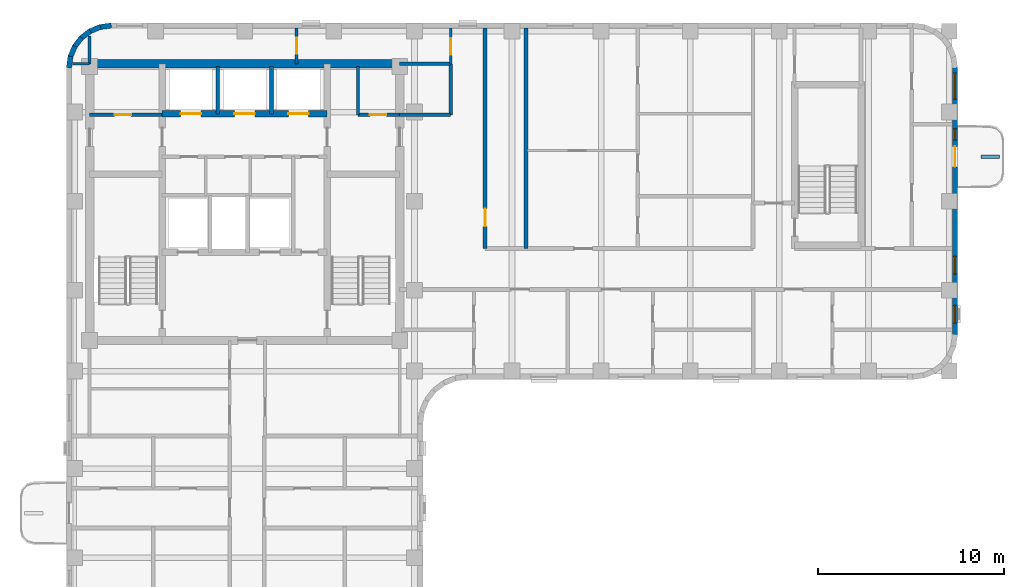
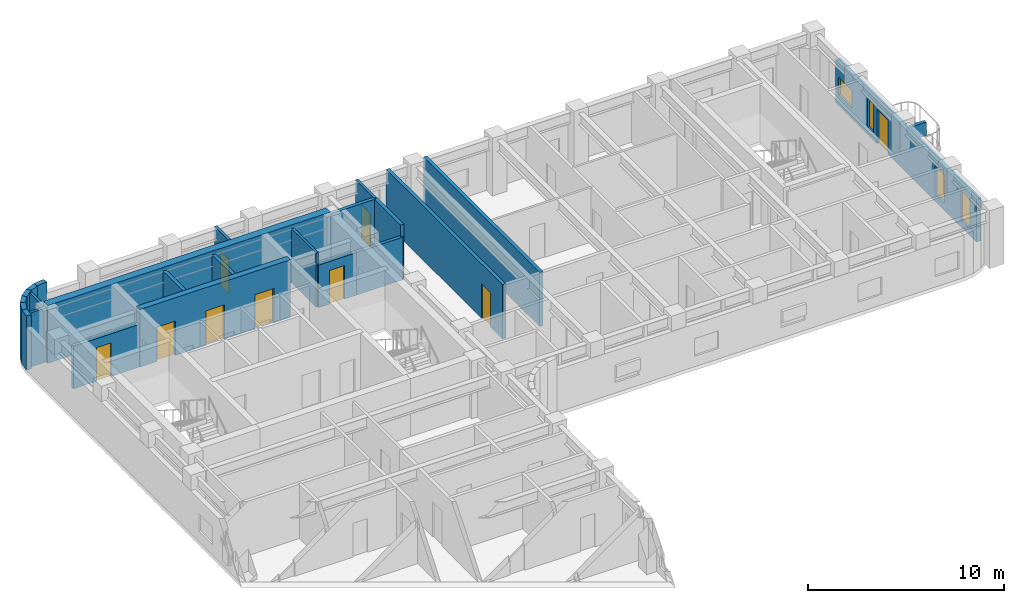
# One storey, part 6 of 10: 24 walls, 9 doors, 4 windows, 13 openings.
"""IFC4 building model written with IfcOpenShell, lengths in metres."""

from ifc_helpers import new_model, si_unit, direction, frame, frame_2d, origin, place, context, subcontext, project, spatial, rectangle, extrude, material, layer, layer_set, type_object, element, fill, save


model = new_model("IFC4")

# Units and contexts
model_context = context("Model", 3, precision=1e-05, world=origin(), true_north=direction((0.0, 1.0)))
body_context = subcontext(model_context, "Body", "Model", "MODEL_VIEW")
ifc_project = project(units=[si_unit("LENGTHUNIT", "METRE"), si_unit("AREAUNIT", "SQUARE_METRE"), si_unit("VOLUMEUNIT", "CUBIC_METRE"), si_unit("PLANEANGLEUNIT", "RADIAN"), si_unit("MASSUNIT", "GRAM", prefix="KILO")], contexts=[model_context])

# Site, building, storey
site_placement = place(None, origin())
site = spatial("IfcSite", under=ifc_project, at=site_placement, CompositionType="ELEMENT")
building_placement = place(site_placement, origin())
building = spatial("IfcBuilding", under=site, at=building_placement, Name="Orvandelia Arch Residences", CompositionType="ELEMENT")
storey_placement = place(building_placement, frame((0.0, 0.0, 211.0)))
storey = spatial("IfcBuildingStorey", under=building, at=storey_placement, Name="L55", CompositionType="ELEMENT", Elevation=211.0)

# Wall, openings, doors
ifc_material_1 = material(Name="Concrete C50/60", Category="concrete")
ifc_layer_1 = layer(ifc_material_1, 0.35009765625, Name="Concrete C50/60", Category="concrete")
ifc_layer_set_1 = layer_set([ifc_layer_1], Name="Concrete C50/60")
wall_type_1 = type_object("IfcWallType", Name="WL-CORE-350", PredefinedType="SHEAR", material=ifc_layer_set_1)
wall_1_placement = place(storey_placement, frame((9.9599609375, 43.10009765625, 0.0), z_axis=(0.0, 0.0, 1.0), x_axis=(1.0, 0.0, 0.0)))
wall_1 = element("IfcWall", 1, at=wall_1_placement, inside=storey, type_object=wall_type_1, Name="Core Shear Wall L55-HZ4", PredefinedType="SHEAR", context=body_context, shape_type="SweptSolid", body=[
    extrude(rectangle(XDim=8.880126953125, YDim=0.35009765625, at=frame_2d((4.43994140625, 0.0))), origin(), (0.0, 0.0, 1.0), 3.60009765625),
])
opening_1_placement = place(wall_1_placement, frame((0.989990234375, 0.0, 0.0)))
opening_1 = element("IfcOpeningElement", 2, at=opening_1_placement, cuts=wall_1, Name="Opening LD", PredefinedType="OPENING", context=body_context, shape_type="SweptSolid", body=[
    extrude(rectangle(XDim=1.10009765625, YDim=2.14990234375, at=frame_2d((0.550048828125, 1.074951171875))), frame((0.0, 0.18505859375, 0.0), z_axis=(0.0, -1.0, 0.0), x_axis=(1.0, 0.0, 0.0)), (0.0, 0.0, 1.0), 0.3701171875),
])
opening_2_placement = place(wall_1_placement, frame((3.889892578125, 0.0, 0.0)))
opening_2 = element("IfcOpeningElement", 3, at=opening_2_placement, cuts=wall_1, Name="Opening LD", PredefinedType="OPENING", context=body_context, shape_type="SweptSolid", body=[
    extrude(rectangle(XDim=1.10009765625, YDim=2.14990234375, at=frame_2d((0.550048828125, 1.074951171875))), frame((0.0, 0.18505859375, 0.0), z_axis=(0.0, -1.0, 0.0), x_axis=(1.0, 0.0, 0.0)), (0.0, 0.0, 1.0), 0.3701171875),
])
opening_3_placement = place(wall_1_placement, frame((6.7900390625, 0.0, 0.0)))
opening_3 = element("IfcOpeningElement", 4, at=opening_3_placement, cuts=wall_1, Name="Opening LD", PredefinedType="OPENING", context=body_context, shape_type="SweptSolid", body=[
    extrude(rectangle(XDim=1.10009765625, YDim=2.14990234375, at=frame_2d((0.550048828125, 1.074951171875))), frame((0.0, 0.18505859375, 0.0), z_axis=(0.0, -1.0, 0.0), x_axis=(1.0, 0.0, 0.0)), (0.0, 0.0, 1.0), 0.3701171875),
])
ifc_material_2 = material(Name="Brushed Stainless Steel Sliding Lift Door", Category="steel")
door_type_1 = type_object("IfcDoorType", Name="DR-LIFT-1100", OperationType="NOTDEFINED", PredefinedType="DOOR", material=ifc_material_2)
door_1_placement = place(opening_1_placement, origin())
door_1 = element("IfcDoor", 5, at=door_1_placement, inside=storey, type_object=door_type_1, Name="Lift Landing Door LD-PH1-L55", OperationType="SLIDING_TO_LEFT", OverallHeight=2.14990234375, OverallWidth=1.10009765625, PredefinedType="DOOR", context=body_context, shape_type="SweptSolid", body=[
    extrude(rectangle(XDim=1.10009765625, YDim=2.14990234375, at=frame_2d((0.550048828125, 1.074951171875))), frame((0.0, 0.02490234375, 0.0), z_axis=(0.0, -1.0, 0.0), x_axis=(1.0, 0.0, 0.0)), (0.0, 0.0, 1.0), 0.050048828125),
])
fill(opening_1, door_1)
door_2_placement = place(opening_2_placement, origin())
door_2 = element("IfcDoor", 6, at=door_2_placement, inside=storey, type_object=door_type_1, Name="Lift Landing Door LD-PH2-L55", OperationType="SLIDING_TO_RIGHT", OverallHeight=2.14990234375, OverallWidth=1.10009765625, PredefinedType="DOOR", context=body_context, shape_type="SweptSolid", body=[
    extrude(rectangle(XDim=1.10009765625, YDim=2.14990234375, at=frame_2d((0.550048828125, 1.074951171875))), frame((0.0, 0.02490234375, 0.0), z_axis=(0.0, -1.0, 0.0), x_axis=(1.0, 0.0, 0.0)), (0.0, 0.0, 1.0), 0.050048828125),
])
fill(opening_2, door_2)
door_3_placement = place(opening_3_placement, origin())
door_3 = element("IfcDoor", 7, at=door_3_placement, inside=storey, type_object=door_type_1, Name="Lift Landing Door LD-PH3-L55", OperationType="SLIDING_TO_LEFT", OverallHeight=2.14990234375, OverallWidth=1.10009765625, PredefinedType="DOOR", context=body_context, shape_type="SweptSolid", body=[
    extrude(rectangle(XDim=1.10009765625, YDim=2.14990234375, at=frame_2d((0.550048828125, 1.074951171875))), frame((0.0, 0.02490234375, 0.0), z_axis=(0.0, -1.0, 0.0), x_axis=(1.0, 0.0, 0.0)), (0.0, 0.0, 1.0), 0.050048828125),
])
fill(opening_3, door_3)

# Walls
ifc_layer_2 = layer(ifc_material_1, 0.449951171875, Name="Concrete C50/60", Category="concrete")
ifc_layer_set_2 = layer_set([ifc_layer_2], Name="Concrete C50/60")
wall_type_2 = type_object("IfcWallType", Name="WL-CORE-450", PredefinedType="SHEAR", material=ifc_layer_set_2)
wall_2_placement = place(storey_placement, frame((6.050048828125, 45.800048828125, 0.0), z_axis=(0.0, 0.0, 1.0), x_axis=(1.0, 0.0, 0.0)))
element("IfcWall", 8, at=wall_2_placement, inside=storey, type_object=wall_type_2, Name="Core Shear Wall L55-N", PredefinedType="SHEAR", context=body_context, shape_type="SweptSolid", body=[
    extrude(rectangle(XDim=16.699951171875, YDim=0.449951171875, at=frame_2d((8.35009765625, 0.0))), origin(), (0.0, 0.0, 1.0), 3.60009765625),
])
ifc_material_3 = material(Name="Fire-Rated Corridor Partition")
ifc_layer_3 = layer(ifc_material_3, 0.199951171875, Name="Fire-Rated Corridor Partition")
ifc_layer_set_3 = layer_set([ifc_layer_3], Name="Fire-Rated Corridor Partition")
wall_type_3 = type_object("IfcWallType", Name="WL-CORR-200", PredefinedType="PARTITIONING", material=ifc_layer_set_3)
wall_3_placement = place(storey_placement, frame((22.75, 45.800048828125, 0.0), z_axis=(0.0, 0.0, 1.0), x_axis=(1.0, 0.0, 0.0)))
element("IfcWall", 9, at=wall_3_placement, inside=storey, type_object=wall_type_3, Name="Interior Partition Wall WL-L55-NCE-S", PredefinedType="PARTITIONING", context=body_context, shape_type="SweptSolid", body=[
    extrude(rectangle(XDim=2.75, YDim=0.199951171875, at=frame_2d((1.375, 0.0))), origin(), (0.0, 0.0, 1.0), 3.3798828125),
])

# Wall, opening, door
wall_4_placement = place(storey_placement, frame((27.35009765625, 35.85009765625, 0.0), z_axis=(0.0, 0.0, 1.0), x_axis=(0.0, 1.0, 0.0)))
wall_4 = element("IfcWall", 10, at=wall_4_placement, inside=storey, type_object=wall_type_3, Name="Interior Partition Wall WL-L55-ES-NCE", PredefinedType="PARTITIONING", context=body_context, shape_type="SweptSolid", body=[
    extrude(rectangle(XDim=11.869873046875, YDim=0.199951171875, at=frame_2d((5.93505859375, 0.0))), origin(), (0.0, 0.0, 1.0), 3.3798828125),
])
opening_4_placement = place(wall_4_placement, frame((1.199951171875, 0.0, 0.0)))
opening_4 = element("IfcOpeningElement", 11, at=opening_4_placement, cuts=wall_4, Name="Opening D2", PredefinedType="OPENING", context=body_context, shape_type="SweptSolid", body=[
    extrude(rectangle(XDim=0.949951171875, YDim=2.14990234375, at=frame_2d((0.47509765625, 1.074951171875))), frame((0.0, 0.10986328125, 0.0), z_axis=(0.0, -1.0, 0.0), x_axis=(1.0, 0.0, 0.0)), (0.0, 0.0, 1.0), 0.219970703125),
])
ifc_material_4 = material(Name="Solid-Core Timber Interior Fire Door", Category="wood")
door_type_2 = type_object("IfcDoorType", Name="DR-APT-950", OperationType="NOTDEFINED", PredefinedType="DOOR", material=ifc_material_4)
door_4_placement = place(opening_4_placement, origin())
door_4 = element("IfcDoor", 12, at=door_4_placement, inside=storey, type_object=door_type_2, Name="DR-L55-ESLDY", OperationType="SINGLE_SWING_RIGHT", OverallHeight=2.14990234375, OverallWidth=0.949951171875, PredefinedType="DOOR", context=body_context, shape_type="SweptSolid", body=[
    extrude(rectangle(XDim=0.949951171875, YDim=2.14990234375, at=frame_2d((0.47509765625, 1.074951171875))), frame((0.0, 0.02490234375, 0.0), z_axis=(0.0, -1.0, 0.0), x_axis=(1.0, 0.0, 0.0)), (0.0, 0.0, 1.0), 0.050048828125),
])
fill(opening_4, door_4)

# Walls
wall_5_placement = place(storey_placement, frame((22.75, 43.050048828125, 0.0), z_axis=(0.0, 0.0, 1.0), x_axis=(1.0, 0.0, 0.0)))
element("IfcWall", 13, at=wall_5_placement, inside=storey, type_object=wall_type_3, Name="Interior Partition Wall WL-L55-ES-LS", PredefinedType="PARTITIONING", context=body_context, shape_type="SweptSolid", body=[
    extrude(rectangle(XDim=2.75, YDim=0.199951171875, at=frame_2d((1.375, 0.0))), origin(), (0.0, 0.0, 1.0), 2.659912109375),
])
wall_6_placement = place(storey_placement, frame((25.5, 43.050048828125, 0.0), z_axis=(0.0, 0.0, 1.0), x_axis=(0.0, 1.0, 0.0)))
element("IfcWall", 14, at=wall_6_placement, inside=storey, type_object=wall_type_3, Name="Interior Partition Wall WL-L55-ES-LW2", PredefinedType="PARTITIONING", context=body_context, shape_type="SweptSolid", body=[
    extrude(rectangle(XDim=2.75, YDim=0.199951171875, at=frame_2d((1.375, 0.0))), origin(), (0.0, 0.0, 1.0), 3.3798828125),
])
ifc_material_5 = material(Name="Concrete C40/50", Category="concrete")
ifc_layer_4 = layer(ifc_material_5, 0.199951171875, Name="Concrete C40/50", Category="concrete")
ifc_layer_set_4 = layer_set([ifc_layer_4], Name="Concrete C40/50")
wall_type_4 = type_object("IfcWallType", Name="WL-DEM-200", PredefinedType="SOLIDWALL", material=ifc_layer_set_4)
wall_7_placement = place(storey_placement, frame((29.550048828125, 35.85009765625, 0.0), z_axis=(0.0, 0.0, 1.0), x_axis=(0.0, 1.0, 0.0)))
element("IfcWall", 15, at=wall_7_placement, inside=storey, type_object=wall_type_4, Name="Interior Partition Wall WL-L55-ES-LDE", PredefinedType="SOLIDWALL", context=body_context, shape_type="SweptSolid", body=[
    extrude(rectangle(XDim=11.869873046875, YDim=0.199951171875, at=frame_2d((5.93505859375, 0.0))), origin(), (0.0, 0.0, 1.0), 3.3798828125),
])
ifc_material_6 = material(Name="Precast concrete C40/50", Category="concrete")
ifc_layer_5 = layer(ifc_material_6, 0.280029296875, Name="Precast concrete C40/50", Category="concrete")
ifc_layer_set_5 = layer_set([ifc_layer_5], Name="Precast concrete C40/50")
wall_type_5 = type_object("IfcWallType", Name="WL-EXT-STONE-280", PredefinedType="STANDARD", material=ifc_layer_set_5)
for number, where, z_axis, x_axis, name in (
    (16, (4.938720703125, 45.581787109375, 0.0), (0.0, 0.0, 1.0), (0.130555323746, 0.9914410257, 0.0), "Coral-Limestone Precast Facade Wall L55-001"),
    (17, (5.010986328125, 46.16748046875, 0.0), (0.0, 0.0, 1.0), (0.382650053678, 0.92389335771, 0.0), "Coral-Limestone Precast Facade Wall L55-002"),
    (18, (5.232666015625, 46.71484375, 0.0), (0.0, 0.0, 1.0), (0.608693302629, 0.793405610854, 0.0), "Coral-Limestone Precast Facade Wall L55-003"),
    (19, (5.588134765625, 47.18603515625, 0.0), (0.0, 0.0, 1.0), (0.793405610854, 0.608693302629, 0.0), "Coral-Limestone Precast Facade Wall L55-004"),
):
    element("IfcWall", number, at=place(storey_placement, frame(where, z_axis=z_axis, x_axis=x_axis)), inside=storey, type_object=wall_type_5, Name=name, PredefinedType="STANDARD", context=body_context, shape_type="SweptSolid", body=[
        extrude(rectangle(XDim=0.62646484375, YDim=0.280029296875, at=frame_2d((0.313232421875, 0.0))), origin(), (0.0, 0.0, 1.0), 3.3798828125),
    ])
wall_8_placement = place(storey_placement, frame((6.0537109375, 47.54931640625, 0.0), z_axis=(0.0, 0.0, 1.0), x_axis=(0.923974080304, 0.382455093999, 0.0)))
element("IfcWall", 20, at=wall_8_placement, inside=storey, type_object=wall_type_5, Name="Coral-Limestone Precast Facade Wall L55-005", PredefinedType="STANDARD", context=body_context, shape_type="SweptSolid", body=[
    extrude(rectangle(XDim=0.626220703125, YDim=0.280029296875, at=frame_2d((0.31298828125, 0.0))), origin(), (0.0, 0.0, 1.0), 3.3798828125),
])
wall_9_placement = place(storey_placement, frame((6.59716796875, 47.779296875, 0.0), z_axis=(0.0, 0.0, 1.0), x_axis=(0.9914410257, 0.130555323746, 0.0)))
element("IfcWall", 21, at=wall_9_placement, inside=storey, type_object=wall_type_5, Name="Coral-Limestone Precast Facade Wall L55-006", PredefinedType="STANDARD", context=body_context, shape_type="SweptSolid", body=[
    extrude(rectangle(XDim=0.62646484375, YDim=0.280029296875, at=frame_2d((0.313232421875, 0.0))), origin(), (0.0, 0.0, 1.0), 3.3798828125),
])

# Wall, openings, door, windows
wall_10_placement = place(storey_placement, frame((52.659912109375, 45.60009765625, 0.0), z_axis=(0.0, 0.0, 1.0), x_axis=(0.0, -1.0, 0.0)))
wall_10 = element("IfcWall", 22, at=wall_10_placement, inside=storey, type_object=wall_type_5, Name="Coral-Limestone Precast Facade Wall L55-014", PredefinedType="STANDARD", context=body_context, shape_type="SweptSolid", body=[
    extrude(rectangle(XDim=14.400146484375, YDim=0.280029296875, at=frame_2d((7.2001953125, 0.0))), origin(), (0.0, 0.0, 1.0), 2.659912109375),
])
opening_5_placement = place(wall_10_placement, frame((4.25, 0.0, 0.0)))
opening_5 = element("IfcOpeningElement", 23, at=opening_5_placement, cuts=wall_10, Name="Opening BD1", PredefinedType="OPENING", context=body_context, shape_type="SweptSolid", body=[
    extrude(rectangle(XDim=1.10009765625, YDim=2.14990234375, at=frame_2d((0.550048828125, 1.074951171875))), frame((0.0, 0.14990234375, 0.0), z_axis=(0.0, -1.0, 0.0), x_axis=(1.0, 0.0, 0.0)), (0.0, 0.0, 1.0), 0.300048828125),
])
opening_6_placement = place(wall_10_placement, frame((10.177490234375, 0.0, 0.449951171875)))
opening_6 = element("IfcOpeningElement", 24, at=opening_6_placement, cuts=wall_10, Name="Opening W4", PredefinedType="OPENING", context=body_context, shape_type="SweptSolid", body=[
    extrude(rectangle(XDim=0.949951171875, YDim=1.800048828125, at=frame_2d((0.47509765625, 0.89990234375))), frame((0.0, 0.14990234375, 0.0), z_axis=(0.0, -1.0, 0.0), x_axis=(1.0, 0.0, 0.0)), (0.0, 0.0, 1.0), 0.300048828125),
])
opening_7_placement = place(wall_10_placement, frame((12.804931640625, 0.0, 0.449951171875)))
opening_7 = element("IfcOpeningElement", 25, at=opening_7_placement, cuts=wall_10, Name="Opening W4", PredefinedType="OPENING", context=body_context, shape_type="SweptSolid", body=[
    extrude(rectangle(XDim=0.949951171875, YDim=1.800048828125, at=frame_2d((0.47509765625, 0.89990234375))), frame((0.0, 0.14990234375, 0.0), z_axis=(0.0, -1.0, 0.0), x_axis=(1.0, 0.0, 0.0)), (0.0, 0.0, 1.0), 0.300048828125),
])
opening_8_placement = place(wall_10_placement, frame((0.3076171875, 0.0, 0.64990234375)))
opening_8 = element("IfcOpeningElement", 26, at=opening_8_placement, cuts=wall_10, Name="Opening W10", PredefinedType="OPENING", context=body_context, shape_type="SweptSolid", body=[
    extrude(rectangle(XDim=1.39990234375, YDim=1.10009765625, at=frame_2d((0.699951171875, 0.550048828125))), frame((0.0, 0.14990234375, 0.0), z_axis=(0.0, -1.0, 0.0), x_axis=(1.0, 0.0, 0.0)), (0.0, 0.0, 1.0), 0.300048828125),
])
opening_9_placement = place(wall_10_placement, frame((3.299072265625, 0.0, 0.449951171875)))
opening_9 = element("IfcOpeningElement", 27, at=opening_9_placement, cuts=wall_10, Name="Opening W12", PredefinedType="OPENING", context=body_context, shape_type="SweptSolid", body=[
    extrude(rectangle(XDim=0.60009765625, YDim=1.800048828125, at=frame_2d((0.300048828125, 0.89990234375))), frame((0.0, 0.14990234375, 0.0), z_axis=(0.0, -1.0, 0.0), x_axis=(1.0, 0.0, 0.0)), (0.0, 0.0, 1.0), 0.300048828125),
])
ifc_material_7 = material(Name="Thermally Broken Aluminium Glazed Door", Category="aluminium")
door_type_3 = type_object("IfcDoorType", Name="DR-BAL-GLAZ-1100", OperationType="NOTDEFINED", PredefinedType="DOOR", material=ifc_material_7)
door_5_placement = place(opening_5_placement, origin())
door_5 = element("IfcDoor", 28, at=door_5_placement, inside=storey, type_object=door_type_3, Name="Tree Balcony Glazed Door BAL-L55-E1", OperationType="SINGLE_SWING_LEFT", OverallHeight=2.14990234375, OverallWidth=1.10009765625, PredefinedType="DOOR", context=body_context, shape_type="SweptSolid", body=[
    extrude(rectangle(XDim=1.10009765625, YDim=2.14990234375, at=frame_2d((0.550048828125, 1.074951171875))), frame((0.0, 0.02490234375, 0.0), z_axis=(0.0, -1.0, 0.0), x_axis=(1.0, 0.0, 0.0)), (0.0, 0.0, 1.0), 0.050048828125),
])
fill(opening_5, door_5)
ifc_material_8 = material(Name="Tempered Low-E Insulated Glazing", Category="glass")
window_type_1 = type_object("IfcWindowType", Name="WIN-CLR-1400x1100", PartitioningType="SINGLE_PANEL", PredefinedType="WINDOW", material=ifc_material_8)
window_1_placement = place(opening_8_placement, origin())
window_1 = element("IfcWindow", 29, at=window_1_placement, inside=storey, type_object=window_type_1, Name="Recessed Punched Window L55-010", OverallHeight=1.10009765625, OverallWidth=1.39990234375, PartitioningType="SINGLE_PANEL", PredefinedType="WINDOW", context=body_context, shape_type="SweptSolid", body=[
    extrude(rectangle(XDim=1.39990234375, YDim=1.10009765625, at=frame_2d((0.699951171875, 0.550048828125))), frame((0.0, 0.030029296875, 0.0), z_axis=(0.0, -1.0, 0.0), x_axis=(1.0, 0.0, 0.0)), (0.0, 0.0, 1.0), 0.06005859375),
])
fill(opening_8, window_1)
window_type_2 = type_object("IfcWindowType", Name="WIN-LAN-0600x1800", PartitioningType="SINGLE_PANEL", PredefinedType="WINDOW", material=ifc_material_8)
window_2_placement = place(opening_9_placement, origin())
window_2 = element("IfcWindow", 30, at=window_2_placement, inside=storey, type_object=window_type_2, Name="Recessed Punched Window L55-011", OverallHeight=1.800048828125, OverallWidth=0.60009765625, PartitioningType="SINGLE_PANEL", PredefinedType="WINDOW", context=body_context, shape_type="SweptSolid", body=[
    extrude(rectangle(XDim=0.60009765625, YDim=1.800048828125, at=frame_2d((0.300048828125, 0.89990234375))), frame((0.0, 0.030029296875, 0.0), z_axis=(0.0, -1.0, 0.0), x_axis=(1.0, 0.0, 0.0)), (0.0, 0.0, 1.0), 0.06005859375),
])
fill(opening_9, window_2)
window_type_3 = type_object("IfcWindowType", Name="WIN-RES-0950x1800", PartitioningType="SINGLE_PANEL", PredefinedType="WINDOW", material=ifc_material_8)
window_3_placement = place(opening_6_placement, origin())
window_3 = element("IfcWindow", 31, at=window_3_placement, inside=storey, type_object=window_type_3, Name="Recessed Punched Window L55-008", OverallHeight=1.800048828125, OverallWidth=0.949951171875, PartitioningType="SINGLE_PANEL", PredefinedType="WINDOW", context=body_context, shape_type="SweptSolid", body=[
    extrude(rectangle(XDim=0.949951171875, YDim=1.800048828125, at=frame_2d((0.47509765625, 0.89990234375))), frame((0.0, 0.030029296875, 0.0), z_axis=(0.0, -1.0, 0.0), x_axis=(1.0, 0.0, 0.0)), (0.0, 0.0, 1.0), 0.06005859375),
])
fill(opening_6, window_3)
window_4_placement = place(opening_7_placement, origin())
window_4 = element("IfcWindow", 32, at=window_4_placement, inside=storey, type_object=window_type_3, Name="Recessed Punched Window L55-009", OverallHeight=1.800048828125, OverallWidth=0.949951171875, PartitioningType="SINGLE_PANEL", PredefinedType="WINDOW", context=body_context, shape_type="SweptSolid", body=[
    extrude(rectangle(XDim=0.949951171875, YDim=1.800048828125, at=frame_2d((0.47509765625, 0.89990234375))), frame((0.0, 0.030029296875, 0.0), z_axis=(0.0, -1.0, 0.0), x_axis=(1.0, 0.0, 0.0)), (0.0, 0.0, 1.0), 0.06005859375),
])
fill(opening_7, window_4)

# Walls
ifc_material_9 = material(Name="Acoustic Gypsum Stud Partition")
ifc_layer_6 = layer(ifc_material_9, 0.14990234375, Name="Acoustic Gypsum Stud Partition")
ifc_layer_set_6 = layer_set([ifc_layer_6], Name="Acoustic Gypsum Stud Partition")
wall_type_6 = type_object("IfcWallType", Name="WL-PART-150", PredefinedType="PARTITIONING", material=ifc_layer_set_6)
wall_11_placement = place(storey_placement, frame((20.5, 43.050048828125, 0.0), z_axis=(0.0, 0.0, 1.0), x_axis=(0.0, 1.0, 0.0)))
element("IfcWall", 33, at=wall_11_placement, inside=storey, type_object=wall_type_6, Name="Interior Partition Wall WL-L55-CSB-2W", PredefinedType="PARTITIONING", context=body_context, shape_type="SweptSolid", body=[
    extrude(rectangle(XDim=2.599853515625, YDim=0.14990234375, at=frame_2d((1.2998046875, 0.0))), origin(), (0.0, 0.0, 1.0), 3.3798828125),
])
wall_12_placement = place(storey_placement, frame((5.1201171875, 45.800048828125, 0.0), z_axis=(0.0, 0.0, 1.0), x_axis=(1.0, 0.0, 0.0)))
element("IfcWall", 34, at=wall_12_placement, inside=storey, type_object=wall_type_6, Name="Interior Partition Wall WL-L55-WF-N", PredefinedType="PARTITIONING", context=body_context, shape_type="SweptSolid", body=[
    extrude(rectangle(XDim=0.929931640625, YDim=0.14990234375, at=frame_2d((0.46484375, 0.0))), origin(), (0.0, 0.0, 1.0), 3.3798828125),
])

# Wall, opening, door
wall_13_placement = place(storey_placement, frame((25.5, 45.800048828125, 0.0), z_axis=(0.0, 0.0, 1.0), x_axis=(0.0, 1.0, 0.0)))
wall_13 = element("IfcWall", 35, at=wall_13_placement, inside=storey, type_object=wall_type_6, Name="Interior Partition Wall WL-L55-NCE-W", PredefinedType="PARTITIONING", context=body_context, shape_type="SweptSolid", body=[
    extrude(rectangle(XDim=1.919921875, YDim=0.14990234375, at=frame_2d((0.9599609375, 0.0))), origin(), (0.0, 0.0, 1.0), 3.3798828125),
])
opening_10_placement = place(wall_13_placement, frame((0.5, 0.0, 0.0)))
opening_10 = element("IfcOpeningElement", 36, at=opening_10_placement, cuts=wall_13, Name="Opening D5", PredefinedType="OPENING", context=body_context, shape_type="SweptSolid", body=[
    extrude(rectangle(XDim=0.8798828125, YDim=2.10009765625, at=frame_2d((0.43994140625, 1.050048828125))), frame((0.0, 0.0849609375, 0.0), z_axis=(0.0, -1.0, 0.0), x_axis=(1.0, 0.0, 0.0)), (0.0, 0.0, 1.0), 0.169921875),
])
ifc_material_10 = material(Name="Painted Galvanised Steel Service Door", Category="steel")
door_type_4 = type_object("IfcDoorType", Name="DR-SRV-880", OperationType="NOTDEFINED", PredefinedType="DOOR", material=ifc_material_10)
door_6_placement = place(opening_10_placement, origin())
door_6 = element("IfcDoor", 37, at=door_6_placement, inside=storey, type_object=door_type_4, Name="DR-L55-NCS2", OperationType="SINGLE_SWING_LEFT", OverallHeight=2.10009765625, OverallWidth=0.8798828125, PredefinedType="DOOR", context=body_context, shape_type="SweptSolid", body=[
    extrude(rectangle(XDim=0.8798828125, YDim=2.10009765625, at=frame_2d((0.43994140625, 1.050048828125))), frame((0.0, 0.02490234375, 0.0), z_axis=(0.0, -1.0, 0.0), x_axis=(1.0, 0.0, 0.0)), (0.0, 0.0, 1.0), 0.050048828125),
])
fill(opening_10, door_6)

# Wall
wall_14_placement = place(storey_placement, frame((6.050048828125, 45.800048828125, 0.0), z_axis=(0.0, 0.0, 1.0), x_axis=(0.0, 1.0, 0.0)))
element("IfcWall", 38, at=wall_14_placement, inside=storey, type_object=wall_type_6, Name="Interior Partition Wall WL-L55-NC-W6", PredefinedType="PARTITIONING", context=body_context, shape_type="SweptSolid", body=[
    extrude(rectangle(XDim=1.5, YDim=0.14990234375, at=frame_2d((0.75, 0.0))), origin(), (0.0, 0.0, 1.0), 3.3798828125),
])

# Wall, opening, door
wall_15_placement = place(storey_placement, frame((17.199951171875, 45.800048828125, 0.0), z_axis=(0.0, 0.0, 1.0), x_axis=(0.0, 1.0, 0.0)))
wall_15 = element("IfcWall", 39, at=wall_15_placement, inside=storey, type_object=wall_type_6, Name="Interior Partition Wall WL-L55-NC-M", PredefinedType="PARTITIONING", context=body_context, shape_type="SweptSolid", body=[
    extrude(rectangle(XDim=1.919921875, YDim=0.14990234375, at=frame_2d((0.9599609375, 0.0))), origin(), (0.0, 0.0, 1.0), 3.3798828125),
])
opening_11_placement = place(wall_15_placement, frame((0.550048828125, 0.0, 0.0)))
opening_11 = element("IfcOpeningElement", 40, at=opening_11_placement, cuts=wall_15, Name="Opening D4", PredefinedType="OPENING", context=body_context, shape_type="SweptSolid", body=[
    extrude(rectangle(XDim=0.860107421875, YDim=2.10009765625, at=frame_2d((0.43017578125, 1.050048828125))), frame((0.0, 0.0849609375, 0.0), z_axis=(0.0, -1.0, 0.0), x_axis=(1.0, 0.0, 0.0)), (0.0, 0.0, 1.0), 0.169921875),
])
ifc_material_11 = material(Name="Moisture-Sealed Timber Bathroom Door", Category="wood")
door_type_5 = type_object("IfcDoorType", Name="DR-WET-900", OperationType="NOTDEFINED", PredefinedType="DOOR", material=ifc_material_11)
door_7_placement = place(opening_11_placement, origin())
door_7 = element("IfcDoor", 41, at=door_7_placement, inside=storey, type_object=door_type_5, Name="DR-L55-NCS1", OperationType="SINGLE_SWING_LEFT", OverallHeight=2.10009765625, OverallWidth=0.860107421875, PredefinedType="DOOR", context=body_context, shape_type="SweptSolid", body=[
    extrude(rectangle(XDim=0.860107421875, YDim=2.10009765625, at=frame_2d((0.43017578125, 1.050048828125))), frame((0.0, 0.02490234375, 0.0), z_axis=(0.0, -1.0, 0.0), x_axis=(1.0, 0.0, 0.0)), (0.0, 0.0, 1.0), 0.050048828125),
])
fill(opening_11, door_7)

# Wall
ifc_layer_7 = layer(ifc_material_6, 0.199951171875, Name="Precast concrete C40/50", Category="concrete")
ifc_layer_set_7 = layer_set([ifc_layer_7], Name="Precast concrete C40/50")
wall_type_7 = type_object("IfcWallType", Name="WL-PLANTER-200", PredefinedType="MOVABLE", material=ifc_layer_set_7)
wall_16_placement = place(storey_placement, frame((54.050048828125, 40.800048828125, 0.0), z_axis=(0.0, 0.0, 1.0), x_axis=(1.0, 0.0, 0.0)))
element("IfcWall", 42, at=wall_16_placement, inside=storey, type_object=wall_type_7, Name="Balcony Precast Tree Planter BAL-L55-E1", PredefinedType="MOVABLE", context=body_context, shape_type="SweptSolid", body=[
    extrude(rectangle(XDim=1.0, YDim=0.199951171875, at=frame_2d((0.5, 0.0))), origin(), (0.0, 0.0, 1.0), 0.85009765625),
])

# Wall, opening, door
ifc_material_12 = material(Name="Fire-Rated Shaft Enclosure Wall")
ifc_layer_8 = layer(ifc_material_12, 0.199951171875, Name="Fire-Rated Shaft Enclosure Wall")
ifc_layer_set_8 = layer_set([ifc_layer_8], Name="Fire-Rated Shaft Enclosure Wall")
wall_type_8 = type_object("IfcWallType", Name="WL-SHAFT-200", PredefinedType="POLYGONAL", material=ifc_layer_set_8)
wall_17_placement = place(storey_placement, frame((20.5, 43.050048828125, 0.0), z_axis=(0.0, 0.0, 1.0), x_axis=(1.0, 0.0, 0.0)))
wall_17 = element("IfcWall", 43, at=wall_17_placement, inside=storey, type_object=wall_type_8, Name="Interior Partition Wall WL-L55-HLE-N", PredefinedType="POLYGONAL", context=body_context, shape_type="SweptSolid", body=[
    extrude(rectangle(XDim=2.25, YDim=0.199951171875, at=frame_2d((1.125, 0.0))), origin(), (0.0, 0.0, 1.0), 2.659912109375),
])
opening_12_placement = place(wall_17_placement, frame((0.64990234375, 0.0, 0.0)))
opening_12 = element("IfcOpeningElement", 44, at=opening_12_placement, cuts=wall_17, Name="Opening D5", PredefinedType="OPENING", context=body_context, shape_type="SweptSolid", body=[
    extrude(rectangle(XDim=0.8798828125, YDim=2.10009765625, at=frame_2d((0.43994140625, 1.050048828125))), frame((0.0, 0.10986328125, 0.0), z_axis=(0.0, -1.0, 0.0), x_axis=(1.0, 0.0, 0.0)), (0.0, 0.0, 1.0), 0.219970703125),
])
door_8_placement = place(opening_12_placement, origin())
door_8 = element("IfcDoor", 45, at=door_8_placement, inside=storey, type_object=door_type_4, Name="DR-L55-CSB1", OperationType="SINGLE_SWING_RIGHT", OverallHeight=2.10009765625, OverallWidth=0.8798828125, PredefinedType="DOOR", context=body_context, shape_type="SweptSolid", body=[
    extrude(rectangle(XDim=0.8798828125, YDim=2.10009765625, at=frame_2d((0.43994140625, 1.050048828125))), frame((0.0, 0.02490234375, 0.0), z_axis=(0.0, -1.0, 0.0), x_axis=(1.0, 0.0, 0.0)), (0.0, 0.0, 1.0), 0.050048828125),
])
fill(opening_12, door_8)

wall_18_placement = place(storey_placement, frame((6.050048828125, 43.050048828125, 0.0), z_axis=(0.0, 0.0, 1.0), x_axis=(1.0, 0.0, 0.0)))
wall_18 = element("IfcWall", 46, at=wall_18_placement, inside=storey, type_object=wall_type_8, Name="Interior Partition Wall WL-L55-HLW-N", PredefinedType="POLYGONAL", context=body_context, shape_type="SweptSolid", body=[
    extrude(rectangle(XDim=3.909912109375, YDim=0.199951171875, at=frame_2d((1.955078125, 0.0))), origin(), (0.0, 0.0, 1.0), 2.659912109375),
])
opening_13_placement = place(wall_18_placement, frame((1.35009765625, 0.0, 0.0)))
opening_13 = element("IfcOpeningElement", 47, at=opening_13_placement, cuts=wall_18, Name="Opening D5", PredefinedType="OPENING", context=body_context, shape_type="SweptSolid", body=[
    extrude(rectangle(XDim=0.8798828125, YDim=2.10009765625, at=frame_2d((0.43994140625, 1.050048828125))), frame((0.0, 0.10986328125, 0.0), z_axis=(0.0, -1.0, 0.0), x_axis=(1.0, 0.0, 0.0)), (0.0, 0.0, 1.0), 0.219970703125),
])
door_9_placement = place(opening_13_placement, origin())
door_9 = element("IfcDoor", 48, at=door_9_placement, inside=storey, type_object=door_type_4, Name="Riser Service Door L55", OperationType="SINGLE_SWING_RIGHT", OverallHeight=2.10009765625, OverallWidth=0.8798828125, PredefinedType="DOOR", context=body_context, shape_type="SweptSolid", body=[
    extrude(rectangle(XDim=0.8798828125, YDim=2.10009765625, at=frame_2d((0.43994140625, 1.050048828125))), frame((0.0, 0.02490234375, 0.0), z_axis=(0.0, -1.0, 0.0), x_axis=(1.0, 0.0, 0.0)), (0.0, 0.0, 1.0), 0.050048828125),
])
fill(opening_13, door_9)

# Walls
for number, where, z_axis, x_axis, name in (
    (49, (12.949951171875, 43.10009765625, 0.0), (0.0, 0.0, 1.0), (0.0, 1.0, 0.0), "Interior Partition Wall WL-L55-PHD1"),
    (50, (15.85009765625, 43.10009765625, 0.0), (0.0, 0.0, 1.0), (0.0, 1.0, 0.0), "Interior Partition Wall WL-L55-PHD2"),
):
    element("IfcWall", number, at=place(storey_placement, frame(where, z_axis=z_axis, x_axis=x_axis)), inside=storey, type_object=wall_type_8, Name=name, PredefinedType="POLYGONAL", context=body_context, shape_type="SweptSolid", body=[
        extrude(rectangle(XDim=2.5498046875, YDim=0.199951171875, at=frame_2d((1.27490234375, 0.0))), origin(), (0.0, 0.0, 1.0), 3.3798828125),
    ])

save(model, "model.ifc")
